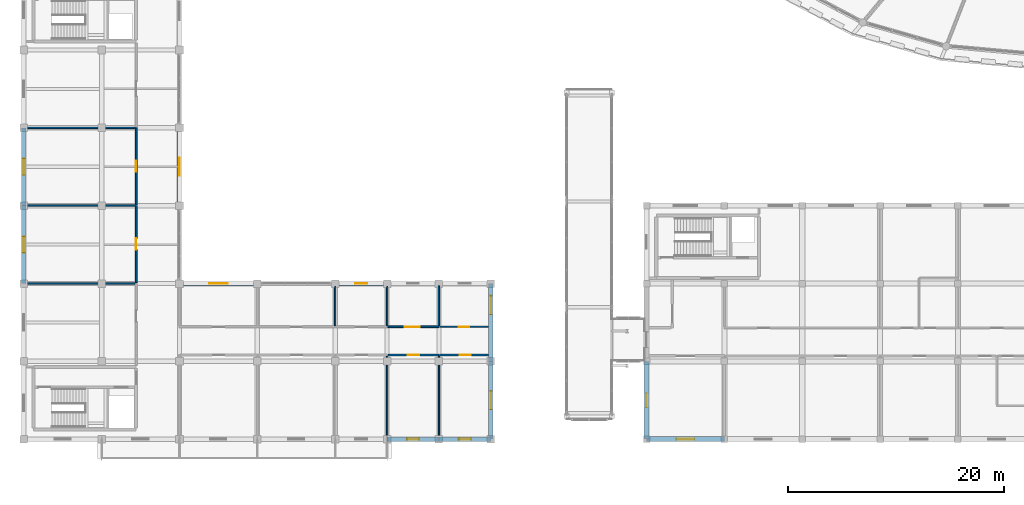
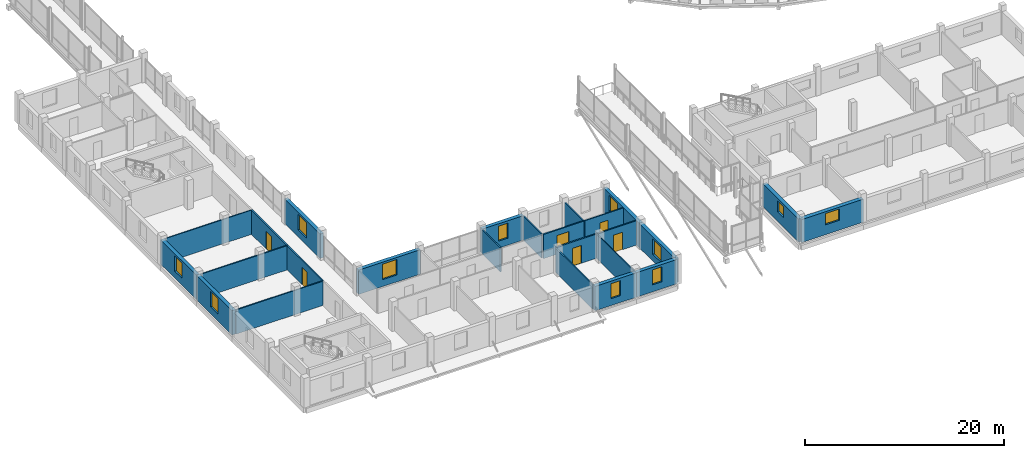
# One storey, part 107 of 128: 25 walls, 11 windows, 6 doors, 17 openings.
"""IFC4 building model written with IfcOpenShell, lengths in metres."""

from ifc_helpers import new_model, si_unit, direction, frame, frame_2d, origin, place, context, subcontext, project, spatial, rectangle, extrude, material, layer, layer_set, type_object, element, fill, save


model = new_model("IFC4")

# Units and contexts
model_context = context("Model", 3, precision=1e-05, world=origin(), true_north=direction((0.0, 1.0)))
body_context = subcontext(model_context, "Body", "Model", "MODEL_VIEW")
ifc_project = project(units=[si_unit("LENGTHUNIT", "METRE"), si_unit("AREAUNIT", "SQUARE_METRE"), si_unit("VOLUMEUNIT", "CUBIC_METRE"), si_unit("PLANEANGLEUNIT", "RADIAN"), si_unit("MASSUNIT", "GRAM", prefix="KILO")], contexts=[model_context])

# Site, building, storey
site_placement = place(None, origin())
site = spatial("IfcSite", under=ifc_project, at=site_placement, CompositionType="ELEMENT")
building_placement = place(site_placement, origin())
building = spatial("IfcBuilding", under=site, at=building_placement, Name="Zornivar Specialist Clinic", CompositionType="ELEMENT")
storey_placement = place(building_placement, frame((0.0, 0.0, 4.5)))
storey = spatial("IfcBuildingStorey", under=building, at=storey_placement, Name="L01", CompositionType="ELEMENT", Elevation=4.5)

# Wall, opening, window
ifc_material_1 = material(Name="Barium-shielded concrete C35/45", Category="concrete")
ifc_layer_1 = layer(ifc_material_1, 0.4599609375)
ifc_layer_set_1 = layer_set([ifc_layer_1], Name="Barium-shielded concrete C35/45")
wall_type_1 = type_object("IfcWallType", Name="EW-IMG-SHIELD-460", PredefinedType="SOLIDWALL", material=ifc_layer_set_1)
wall_1_placement = place(storey_placement, frame((57.60009765625, 0.0, 0.0), z_axis=(0.0, 0.0, 1.0), x_axis=(1.0, 0.0, 0.0)))
wall_1 = element("IfcWall", 1, at=wall_1_placement, inside=storey, type_object=wall_type_1, Name="ew:V3:L01:00", PredefinedType="SOLIDWALL", context=body_context, shape_type="SweptSolid", body=[
    extrude(rectangle(XDim=7.199951171875, YDim=0.4599609375, at=frame_2d((3.60009765625, 0.0))), origin(), (0.0, 0.0, 1.0), 2.830078125),
])
opening_1_placement = place(wall_1_placement, frame((2.800048828125, 0.0, 1.199951171875)))
opening_1 = element("IfcOpeningElement", 2, at=opening_1_placement, cuts=wall_1, Name="Opening W-12", PredefinedType="OPENING", context=body_context, shape_type="SweptSolid", body=[
    extrude(rectangle(XDim=1.60009765625, YDim=1.39990234375, at=frame_2d((0.800048828125, 0.699951171875))), frame((0.0, 0.239990234375, 0.0), z_axis=(0.0, -1.0, 0.0), x_axis=(1.0, 0.0, 0.0)), (0.0, 0.0, 1.0), 0.47998046875),
])
ifc_material_2 = material(Name="Triple-Glazed Aluminium-Timber Window Glass", Category="wood")
window_type_1 = type_object("IfcWindowType", Name="WIN-IMG-SOUTH-1600x1400", PartitioningType="SINGLE_PANEL", PredefinedType="WINDOW", material=ifc_material_2)
window_1_placement = place(opening_1_placement, origin())
window_1 = element("IfcWindow", 3, at=window_1_placement, inside=storey, type_object=window_type_1, Name="win:V3:L01:00", OverallHeight=1.39990234375, OverallWidth=1.60009765625, PartitioningType="SINGLE_PANEL", PredefinedType="WINDOW", context=body_context, shape_type="SweptSolid", body=[
    extrude(rectangle(XDim=1.60009765625, YDim=1.39990234375, at=frame_2d((0.800048828125, 0.699951171875))), frame((0.0, 0.030029296875, 0.0), z_axis=(0.0, -1.0, 0.0), x_axis=(1.0, 0.0, 0.0)), (0.0, 0.0, 1.0), 0.06005859375),
])
fill(opening_1, window_1)

wall_2_placement = place(storey_placement, frame((57.60009765625, 7.199951171875, 0.0), z_axis=(0.0, 0.0, 1.0), x_axis=(0.0, -1.0, 0.0)))
wall_2 = element("IfcWall", 4, at=wall_2_placement, inside=storey, type_object=wall_type_1, Name="ew:V3:L01:15", PredefinedType="SOLIDWALL", context=body_context, shape_type="SweptSolid", body=[
    extrude(rectangle(XDim=7.199951171875, YDim=0.4599609375, at=frame_2d((3.60009765625, 0.0))), origin(), (0.0, 0.0, 1.0), 2.830078125),
])
opening_2_placement = place(wall_2_placement, frame((2.97509765625, 0.0, 1.199951171875)))
opening_2 = element("IfcOpeningElement", 5, at=opening_2_placement, cuts=wall_2, Name="Opening W-14", PredefinedType="OPENING", context=body_context, shape_type="SweptSolid", body=[
    extrude(rectangle(XDim=1.25, YDim=1.35009765625, at=frame_2d((0.625, 0.675048828125))), frame((0.0, 0.239990234375, 0.0), z_axis=(0.0, -1.0, 0.0), x_axis=(1.0, 0.0, 0.0)), (0.0, 0.0, 1.0), 0.47998046875),
])
ifc_material_3 = material(Name="Triple-Glazed Aluminium-Timber Window Glass", Category="wood")
window_type_2 = type_object("IfcWindowType", Name="WIN-IMG-CTRL-1250x1350", PartitioningType="SINGLE_PANEL", PredefinedType="WINDOW", material=ifc_material_3)
window_2_placement = place(opening_2_placement, origin())
window_2 = element("IfcWindow", 6, at=window_2_placement, inside=storey, type_object=window_type_2, Name="win:V3:L01:15", OverallHeight=1.35009765625, OverallWidth=1.25, PartitioningType="SINGLE_PANEL", PredefinedType="WINDOW", context=body_context, shape_type="SweptSolid", body=[
    extrude(rectangle(XDim=1.25, YDim=1.35009765625, at=frame_2d((0.625, 0.675048828125))), frame((0.0, 0.030029296875, 0.0), z_axis=(0.0, -1.0, 0.0), x_axis=(1.0, 0.0, 0.0)), (0.0, 0.0, 1.0), 0.06005859375),
])
fill(opening_2, window_2)

ifc_material_4 = material(Name="Masonry Vratsa Limestone Ashlar Cavity Wall", Category="masonry")
ifc_layer_2 = layer(ifc_material_4, 0.419921875)
ifc_layer_set_2 = layer_set([ifc_layer_2], Name="Masonry Vratsa Limestone Ashlar Cavity Wall")
wall_type_2 = type_object("IfcWallType", Name="EW-LIMESTONE-420", PredefinedType="SOLIDWALL", material=ifc_layer_set_2)
wall_3_placement = place(storey_placement, frame((33.60009765625, 0.0, 0.0), z_axis=(0.0, 0.0, 1.0), x_axis=(1.0, 0.0, 0.0)))
wall_3 = element("IfcWall", 7, at=wall_3_placement, inside=storey, type_object=wall_type_2, Name="ew:V2:L01:05", PredefinedType="SOLIDWALL", context=body_context, shape_type="SweptSolid", body=[
    extrude(rectangle(XDim=4.7998046875, YDim=0.419921875, at=frame_2d((2.39990234375, 0.0))), origin(), (0.0, 0.0, 1.0), 3.0),
])
opening_3_placement = place(wall_3_placement, frame((1.85009765625, 0.0, 0.85009765625)))
opening_3 = element("IfcOpeningElement", 8, at=opening_3_placement, cuts=wall_3, Name="Opening W-07", PredefinedType="OPENING", context=body_context, shape_type="SweptSolid", body=[
    extrude(rectangle(XDim=1.10009765625, YDim=1.85009765625, at=frame_2d((0.550048828125, 0.925048828125))), frame((0.0, 0.219970703125, 0.0), z_axis=(0.0, -1.0, 0.0), x_axis=(1.0, 0.0, 0.0)), (0.0, 0.0, 1.0), 0.43994140625),
])
ifc_material_5 = material(Name="Triple-Glazed Aluminium-Timber Window Glass", Category="wood")
window_type_3 = type_object("IfcWindowType", Name="WIN-OUTP-PIER-1100x1850", PartitioningType="SINGLE_PANEL", PredefinedType="WINDOW", material=ifc_material_5)
window_3_placement = place(opening_3_placement, origin())
window_3 = element("IfcWindow", 9, at=window_3_placement, inside=storey, type_object=window_type_3, Name="win:V2:L01:05", OverallHeight=1.85009765625, OverallWidth=1.10009765625, PartitioningType="SINGLE_PANEL", PredefinedType="WINDOW", context=body_context, shape_type="SweptSolid", body=[
    extrude(rectangle(XDim=1.10009765625, YDim=1.85009765625, at=frame_2d((0.550048828125, 0.925048828125))), frame((0.0, 0.030029296875, 0.0), z_axis=(0.0, -1.0, 0.0), x_axis=(1.0, 0.0, 0.0)), (0.0, 0.0, 1.0), 0.06005859375),
])
fill(opening_3, window_3)

wall_4_placement = place(storey_placement, frame((38.39990234375, 0.0, 0.0), z_axis=(0.0, 0.0, 1.0), x_axis=(1.0, 0.0, 0.0)))
wall_4 = element("IfcWall", 10, at=wall_4_placement, inside=storey, type_object=wall_type_2, Name="ew:V2:L01:06", PredefinedType="SOLIDWALL", context=body_context, shape_type="SweptSolid", body=[
    extrude(rectangle(XDim=4.800048828125, YDim=0.419921875, at=frame_2d((2.39990234375, 0.0))), origin(), (0.0, 0.0, 1.0), 3.0),
])
opening_4_placement = place(wall_4_placement, frame((1.85009765625, 0.0, 0.85009765625)))
opening_4 = element("IfcOpeningElement", 11, at=opening_4_placement, cuts=wall_4, Name="Opening W-07", PredefinedType="OPENING", context=body_context, shape_type="SweptSolid", body=[
    extrude(rectangle(XDim=1.10009765625, YDim=1.85009765625, at=frame_2d((0.550048828125, 0.925048828125))), frame((0.0, 0.219970703125, 0.0), z_axis=(0.0, -1.0, 0.0), x_axis=(1.0, 0.0, 0.0)), (0.0, 0.0, 1.0), 0.43994140625),
])
window_4_placement = place(opening_4_placement, origin())
window_4 = element("IfcWindow", 12, at=window_4_placement, inside=storey, type_object=window_type_3, Name="win:V2:L01:06", OverallHeight=1.85009765625, OverallWidth=1.10009765625, PartitioningType="SINGLE_PANEL", PredefinedType="WINDOW", context=body_context, shape_type="SweptSolid", body=[
    extrude(rectangle(XDim=1.10009765625, YDim=1.85009765625, at=frame_2d((0.550048828125, 0.925048828125))), frame((0.0, 0.030029296875, 0.0), z_axis=(0.0, -1.0, 0.0), x_axis=(1.0, 0.0, 0.0)), (0.0, 0.0, 1.0), 0.06005859375),
])
fill(opening_4, window_4)

wall_5_placement = place(storey_placement, frame((43.199951171875, 0.0, 0.0), z_axis=(0.0, 0.0, 1.0), x_axis=(0.0, 1.0, 0.0)))
wall_5 = element("IfcWall", 13, at=wall_5_placement, inside=storey, type_object=wall_type_2, Name="ew:V2:L01:07", PredefinedType="SOLIDWALL", context=body_context, shape_type="SweptSolid", body=[
    extrude(rectangle(XDim=7.199951171875, YDim=0.419921875, at=frame_2d((3.60009765625, 0.0))), origin(), (0.0, 0.0, 1.0), 3.0),
])
opening_5_placement = place(wall_5_placement, frame((2.75, 0.0, 0.85009765625)))
opening_5 = element("IfcOpeningElement", 14, at=opening_5_placement, cuts=wall_5, Name="Opening W-06", PredefinedType="OPENING", context=body_context, shape_type="SweptSolid", body=[
    extrude(rectangle(XDim=1.699951171875, YDim=1.89990234375, at=frame_2d((0.85009765625, 0.949951171875))), frame((0.0, 0.219970703125, 0.0), z_axis=(0.0, -1.0, 0.0), x_axis=(1.0, 0.0, 0.0)), (0.0, 0.0, 1.0), 0.43994140625),
])
ifc_material_6 = material(Name="Triple-Glazed Aluminium-Timber Window Glass", Category="wood")
window_type_4 = type_object("IfcWindowType", Name="WIN-OUTP-COURT-1700x1900", PartitioningType="SINGLE_PANEL", PredefinedType="WINDOW", material=ifc_material_6)
window_5_placement = place(opening_5_placement, origin())
window_5 = element("IfcWindow", 15, at=window_5_placement, inside=storey, type_object=window_type_4, Name="win:V2:L01:07", OverallHeight=1.89990234375, OverallWidth=1.699951171875, PartitioningType="SINGLE_PANEL", PredefinedType="WINDOW", context=body_context, shape_type="SweptSolid", body=[
    extrude(rectangle(XDim=1.699951171875, YDim=1.89990234375, at=frame_2d((0.85009765625, 0.949951171875))), frame((0.0, 0.030029296875, 0.0), z_axis=(0.0, -1.0, 0.0), x_axis=(1.0, 0.0, 0.0)), (0.0, 0.0, 1.0), 0.06005859375),
])
fill(opening_5, window_5)

wall_6_placement = place(storey_placement, frame((43.199951171875, 7.199951171875, 0.0), z_axis=(0.0, 0.0, 1.0), x_axis=(0.0, 1.0, 0.0)))
wall_6 = element("IfcWall", 16, at=wall_6_placement, inside=storey, type_object=wall_type_2, Name="ew:V2:L01:08", PredefinedType="SOLIDWALL", context=body_context, shape_type="SweptSolid", body=[
    extrude(rectangle(XDim=7.199951171875, YDim=0.419921875, at=frame_2d((3.60009765625, 0.0))), origin(), (0.0, 0.0, 1.0), 3.0),
])
opening_6_placement = place(wall_6_placement, frame((4.35009765625, 0.0, 0.85009765625)))
opening_6 = element("IfcOpeningElement", 17, at=opening_6_placement, cuts=wall_6, Name="Opening W-06", PredefinedType="OPENING", context=body_context, shape_type="SweptSolid", body=[
    extrude(rectangle(XDim=1.699951171875, YDim=1.89990234375, at=frame_2d((0.85009765625, 0.949951171875))), frame((0.0, 0.219970703125, 0.0), z_axis=(0.0, -1.0, 0.0), x_axis=(1.0, 0.0, 0.0)), (0.0, 0.0, 1.0), 0.43994140625),
])
window_6_placement = place(opening_6_placement, origin())
window_6 = element("IfcWindow", 18, at=window_6_placement, inside=storey, type_object=window_type_4, Name="win:V2:L01:08", OverallHeight=1.89990234375, OverallWidth=1.699951171875, PartitioningType="SINGLE_PANEL", PredefinedType="WINDOW", context=body_context, shape_type="SweptSolid", body=[
    extrude(rectangle(XDim=1.699951171875, YDim=1.89990234375, at=frame_2d((0.85009765625, 0.949951171875))), frame((0.0, 0.030029296875, 0.0), z_axis=(0.0, -1.0, 0.0), x_axis=(1.0, 0.0, 0.0)), (0.0, 0.0, 1.0), 0.06005859375),
])
fill(opening_6, window_6)

wall_7_placement = place(storey_placement, frame((33.60009765625, 14.39990234375, 0.0), z_axis=(0.0, 0.0, 1.0), x_axis=(-1.0, 0.0, 0.0)))
wall_7 = element("IfcWall", 19, at=wall_7_placement, inside=storey, type_object=wall_type_2, Name="ew:V2:L01:11", PredefinedType="SOLIDWALL", context=body_context, shape_type="SweptSolid", body=[
    extrude(rectangle(XDim=4.800048828125, YDim=0.419921875, at=frame_2d((2.39990234375, 0.0))), origin(), (0.0, 0.0, 1.0), 3.0),
])
opening_7_placement = place(wall_7_placement, frame((1.85009765625, 0.0, 0.85009765625)))
opening_7 = element("IfcOpeningElement", 20, at=opening_7_placement, cuts=wall_7, Name="Opening W-07", PredefinedType="OPENING", context=body_context, shape_type="SweptSolid", body=[
    extrude(rectangle(XDim=1.10009765625, YDim=1.85009765625, at=frame_2d((0.550048828125, 0.925048828125))), frame((0.0, 0.219970703125, 0.0), z_axis=(0.0, -1.0, 0.0), x_axis=(1.0, 0.0, 0.0)), (0.0, 0.0, 1.0), 0.43994140625),
])
window_7_placement = place(opening_7_placement, origin())
window_7 = element("IfcWindow", 21, at=window_7_placement, inside=storey, type_object=window_type_3, Name="win:V2:L01:11", OverallHeight=1.85009765625, OverallWidth=1.10009765625, PartitioningType="SINGLE_PANEL", PredefinedType="WINDOW", context=body_context, shape_type="SweptSolid", body=[
    extrude(rectangle(XDim=1.10009765625, YDim=1.85009765625, at=frame_2d((0.550048828125, 0.925048828125))), frame((0.0, 0.030029296875, 0.0), z_axis=(0.0, -1.0, 0.0), x_axis=(1.0, 0.0, 0.0)), (0.0, 0.0, 1.0), 0.06005859375),
])
fill(opening_7, window_7)

wall_8_placement = place(storey_placement, frame((21.60009765625, 14.39990234375, 0.0), z_axis=(0.0, 0.0, 1.0), x_axis=(-1.0, 0.0, 0.0)))
wall_8 = element("IfcWall", 22, at=wall_8_placement, inside=storey, type_object=wall_type_2, Name="ew:V2:L01:13", PredefinedType="SOLIDWALL", context=body_context, shape_type="SweptSolid", body=[
    extrude(rectangle(XDim=7.2001953125, YDim=0.419921875, at=frame_2d((3.60009765625, 0.0))), origin(), (0.0, 0.0, 1.0), 3.0),
])
opening_8_placement = place(wall_8_placement, frame((2.75, 0.0, 0.85009765625)))
opening_8 = element("IfcOpeningElement", 23, at=opening_8_placement, cuts=wall_8, Name="Opening W-06", PredefinedType="OPENING", context=body_context, shape_type="SweptSolid", body=[
    extrude(rectangle(XDim=1.699951171875, YDim=1.89990234375, at=frame_2d((0.85009765625, 0.949951171875))), frame((0.0, 0.219970703125, 0.0), z_axis=(0.0, -1.0, 0.0), x_axis=(1.0, 0.0, 0.0)), (0.0, 0.0, 1.0), 0.43994140625),
])
window_8_placement = place(opening_8_placement, origin())
window_8 = element("IfcWindow", 24, at=window_8_placement, inside=storey, type_object=window_type_4, Name="win:V2:L01:13", OverallHeight=1.89990234375, OverallWidth=1.699951171875, PartitioningType="SINGLE_PANEL", PredefinedType="WINDOW", context=body_context, shape_type="SweptSolid", body=[
    extrude(rectangle(XDim=1.699951171875, YDim=1.89990234375, at=frame_2d((0.85009765625, 0.949951171875))), frame((0.0, 0.030029296875, 0.0), z_axis=(0.0, -1.0, 0.0), x_axis=(1.0, 0.0, 0.0)), (0.0, 0.0, 1.0), 0.06005859375),
])
fill(opening_8, window_8)

wall_9_placement = place(storey_placement, frame((14.39990234375, 21.60009765625, 0.0), z_axis=(0.0, 0.0, 1.0), x_axis=(0.0, 1.0, 0.0)))
wall_9 = element("IfcWall", 25, at=wall_9_placement, inside=storey, type_object=wall_type_2, Name="ew:V2:L01:15", PredefinedType="SOLIDWALL", context=body_context, shape_type="SweptSolid", body=[
    extrude(rectangle(XDim=7.199951171875, YDim=0.419921875, at=frame_2d((3.60009765625, 0.0))), origin(), (0.0, 0.0, 1.0), 3.0),
])
opening_9_placement = place(wall_9_placement, frame((2.75, 0.0, 0.85009765625)))
opening_9 = element("IfcOpeningElement", 26, at=opening_9_placement, cuts=wall_9, Name="Opening W-06", PredefinedType="OPENING", context=body_context, shape_type="SweptSolid", body=[
    extrude(rectangle(XDim=1.699951171875, YDim=1.89990234375, at=frame_2d((0.85009765625, 0.949951171875))), frame((0.0, 0.219970703125, 0.0), z_axis=(0.0, -1.0, 0.0), x_axis=(1.0, 0.0, 0.0)), (0.0, 0.0, 1.0), 0.43994140625),
])
window_9_placement = place(opening_9_placement, origin())
window_9 = element("IfcWindow", 27, at=window_9_placement, inside=storey, type_object=window_type_4, Name="win:V2:L01:15", OverallHeight=1.89990234375, OverallWidth=1.699951171875, PartitioningType="SINGLE_PANEL", PredefinedType="WINDOW", context=body_context, shape_type="SweptSolid", body=[
    extrude(rectangle(XDim=1.699951171875, YDim=1.89990234375, at=frame_2d((0.85009765625, 0.949951171875))), frame((0.0, 0.030029296875, 0.0), z_axis=(0.0, -1.0, 0.0), x_axis=(1.0, 0.0, 0.0)), (0.0, 0.0, 1.0), 0.06005859375),
])
fill(opening_9, window_9)

wall_10_placement = place(storey_placement, frame((0.0, 28.800048828125, 0.0), z_axis=(0.0, 0.0, 1.0), x_axis=(0.0, -1.0, 0.0)))
wall_10 = element("IfcWall", 28, at=wall_10_placement, inside=storey, type_object=wall_type_2, Name="ew:V2:L01:28", PredefinedType="SOLIDWALL", context=body_context, shape_type="SweptSolid", body=[
    extrude(rectangle(XDim=7.199951171875, YDim=0.419921875, at=frame_2d((3.60009765625, 0.0))), origin(), (0.0, 0.0, 1.0), 3.0),
])
opening_10_placement = place(wall_10_placement, frame((2.85009765625, 0.0, 0.85009765625)))
opening_10 = element("IfcOpeningElement", 29, at=opening_10_placement, cuts=wall_10, Name="Opening W-05", PredefinedType="OPENING", context=body_context, shape_type="SweptSolid", body=[
    extrude(rectangle(XDim=1.5, YDim=1.89990234375, at=frame_2d((0.75, 0.949951171875))), frame((0.0, 0.219970703125, 0.0), z_axis=(0.0, -1.0, 0.0), x_axis=(1.0, 0.0, 0.0)), (0.0, 0.0, 1.0), 0.43994140625),
])
ifc_material_7 = material(Name="Triple-Glazed Aluminium-Timber Window Glass", Category="wood")
window_type_5 = type_object("IfcWindowType", Name="WIN-OUTP-STREET-1500x1900", PartitioningType="SINGLE_PANEL", PredefinedType="WINDOW", material=ifc_material_7)
window_10_placement = place(opening_10_placement, origin())
window_10 = element("IfcWindow", 30, at=window_10_placement, inside=storey, type_object=window_type_5, Name="win:V2:L01:28", OverallHeight=1.89990234375, OverallWidth=1.5, PartitioningType="SINGLE_PANEL", PredefinedType="WINDOW", context=body_context, shape_type="SweptSolid", body=[
    extrude(rectangle(XDim=1.5, YDim=1.89990234375, at=frame_2d((0.75, 0.949951171875))), frame((0.0, 0.030029296875, 0.0), z_axis=(0.0, -1.0, 0.0), x_axis=(1.0, 0.0, 0.0)), (0.0, 0.0, 1.0), 0.06005859375),
])
fill(opening_10, window_10)

wall_11_placement = place(storey_placement, frame((0.0, 21.60009765625, 0.0), z_axis=(0.0, 0.0, 1.0), x_axis=(0.0, -1.0, 0.0)))
wall_11 = element("IfcWall", 31, at=wall_11_placement, inside=storey, type_object=wall_type_2, Name="ew:V2:L01:29", PredefinedType="SOLIDWALL", context=body_context, shape_type="SweptSolid", body=[
    extrude(rectangle(XDim=7.2001953125, YDim=0.419921875, at=frame_2d((3.60009765625, 0.0))), origin(), (0.0, 0.0, 1.0), 3.0),
])
opening_11_placement = place(wall_11_placement, frame((2.85009765625, 0.0, 0.85009765625)))
opening_11 = element("IfcOpeningElement", 32, at=opening_11_placement, cuts=wall_11, Name="Opening W-05", PredefinedType="OPENING", context=body_context, shape_type="SweptSolid", body=[
    extrude(rectangle(XDim=1.5, YDim=1.89990234375, at=frame_2d((0.75, 0.949951171875))), frame((0.0, 0.219970703125, 0.0), z_axis=(0.0, -1.0, 0.0), x_axis=(1.0, 0.0, 0.0)), (0.0, 0.0, 1.0), 0.43994140625),
])
window_11_placement = place(opening_11_placement, origin())
window_11 = element("IfcWindow", 33, at=window_11_placement, inside=storey, type_object=window_type_5, Name="win:V2:L01:29", OverallHeight=1.89990234375, OverallWidth=1.5, PartitioningType="SINGLE_PANEL", PredefinedType="WINDOW", context=body_context, shape_type="SweptSolid", body=[
    extrude(rectangle(XDim=1.5, YDim=1.89990234375, at=frame_2d((0.75, 0.949951171875))), frame((0.0, 0.030029296875, 0.0), z_axis=(0.0, -1.0, 0.0), x_axis=(1.0, 0.0, 0.0)), (0.0, 0.0, 1.0), 0.06005859375),
])
fill(opening_11, window_11)

# Walls
ifc_material_8 = material(Name="Acoustic Clinical Stud Partition")
ifc_layer_3 = layer(ifc_material_8, 0.139892578125)
ifc_layer_set_3 = layer_set([ifc_layer_3], Name="Acoustic Clinical Stud Partition")
wall_type_3 = type_object("IfcWallType", Name="IW-CLIN-140", PredefinedType="PARTITIONING", material=ifc_layer_set_3)
for number, where, z_axis, x_axis, name in (
    (34, (0.22509765625, 14.39990234375, 0.0), (0.0, 0.0, 1.0), (1.0, 0.0, 0.0), "iw:L01:053"),
    (35, (0.22509765625, 21.60009765625, 0.0), (0.0, 0.0, 1.0), (1.0, 0.0, 0.0), "iw:L01:055"),
):
    element("IfcWall", number, at=place(storey_placement, frame(where, z_axis=z_axis, x_axis=x_axis)), inside=storey, type_object=wall_type_3, Name=name, PredefinedType="PARTITIONING", context=body_context, shape_type="SweptSolid", body=[
        extrude(rectangle(XDim=10.080810546875, YDim=0.139892578125, at=frame_2d((5.04052734375, 0.0))), origin(), (0.0, 0.0, 1.0), 2.97998046875),
    ])
wall_12_placement = place(storey_placement, frame((28.800048828125, 14.175048828125, 0.0), z_axis=(0.0, 0.0, 1.0), x_axis=(0.0, -1.0, 0.0)))
element("IfcWall", 36, at=wall_12_placement, inside=storey, type_object=wall_type_3, Name="iw:L01:080", PredefinedType="PARTITIONING", context=body_context, shape_type="SweptSolid", body=[
    extrude(rectangle(XDim=3.68115234375, YDim=0.139892578125, at=frame_2d((1.840576171875, 0.0))), origin(), (0.0, 0.0, 1.0), 2.97998046875),
])
wall_13_placement = place(storey_placement, frame((33.60009765625, 7.7060546875, 0.0), z_axis=(0.0, 0.0, 1.0), x_axis=(0.0, -1.0, 0.0)))
element("IfcWall", 37, at=wall_13_placement, inside=storey, type_object=wall_type_3, Name="iw:L01:082", PredefinedType="PARTITIONING", context=body_context, shape_type="SweptSolid", body=[
    extrude(rectangle(XDim=7.48095703125, YDim=0.139892578125, at=frame_2d((3.740478515625, 0.0))), origin(), (0.0, 0.0, 1.0), 2.97998046875),
])
wall_14_placement = place(storey_placement, frame((33.60009765625, 14.175048828125, 0.0), z_axis=(0.0, 0.0, 1.0), x_axis=(0.0, -1.0, 0.0)))
element("IfcWall", 38, at=wall_14_placement, inside=storey, type_object=wall_type_3, Name="iw:L01:084", PredefinedType="PARTITIONING", context=body_context, shape_type="SweptSolid", body=[
    extrude(rectangle(XDim=3.68115234375, YDim=0.139892578125, at=frame_2d((1.840576171875, 0.0))), origin(), (0.0, 0.0, 1.0), 2.97998046875),
])

# Wall, opening, door
ifc_material_9 = material(Name="Gypsum Fire-Rated Double Stud Partition")
ifc_layer_4 = layer(ifc_material_9, 0.159912109375)
ifc_layer_set_4 = layer_set([ifc_layer_4], Name="Gypsum Fire-Rated Double Stud Partition")
wall_type_4 = type_object("IfcWallType", Name="IW-CORR-EI60-160", PredefinedType="PARTITIONING", material=ifc_layer_set_4)
wall_15_placement = place(storey_placement, frame((10.39990234375, 21.60009765625, 0.0), z_axis=(0.0, 0.0, 1.0), x_axis=(0.0, -1.0, 0.0)))
wall_15 = element("IfcWall", 39, at=wall_15_placement, inside=storey, type_object=wall_type_4, Name="iw:L01:054", PredefinedType="PARTITIONING", context=body_context, shape_type="SweptSolid", body=[
    extrude(rectangle(XDim=7.1162109375, YDim=0.159912109375, at=frame_2d((3.55810546875, 0.0))), origin(), (0.0, 0.0, 1.0), 2.97998046875),
])
opening_12_placement = place(wall_15_placement, frame((3.032958984375, 0.0, 0.0)))
opening_12 = element("IfcOpeningElement", 40, at=opening_12_placement, cuts=wall_15, Name="Opening ID-03", PredefinedType="OPENING", context=body_context, shape_type="SweptSolid", body=[
    extrude(rectangle(XDim=1.050048828125, YDim=2.14990234375, at=frame_2d((0.52490234375, 1.074951171875))), frame((0.0, 0.08984375, 0.0), z_axis=(0.0, -1.0, 0.0), x_axis=(1.0, 0.0, 0.0)), (0.0, 0.0, 1.0), 0.179931640625),
])
ifc_material_10 = material(Name="Solid-Core Hygienic Laminate Timber Door", Category="wood")
door_type_1 = type_object("IfcDoorType", Name="ID-CONS-1050x2150", OperationType="NOTDEFINED", PredefinedType="DOOR", material=ifc_material_10)
door_1_placement = place(opening_12_placement, origin())
door_1 = element("IfcDoor", 41, at=door_1_placement, inside=storey, type_object=door_type_1, Name="door:space:V2:L01:rm:01", OperationType="SINGLE_SWING_RIGHT", OverallHeight=2.14990234375, OverallWidth=1.050048828125, PredefinedType="DOOR", context=body_context, shape_type="SweptSolid", body=[
    extrude(rectangle(XDim=1.050048828125, YDim=2.14990234375, at=frame_2d((0.52490234375, 1.074951171875))), frame((0.0, 0.02490234375, 0.0), z_axis=(0.0, -1.0, 0.0), x_axis=(1.0, 0.0, 0.0)), (0.0, 0.0, 1.0), 0.050048828125),
])
fill(opening_12, door_1)

wall_16_placement = place(storey_placement, frame((10.39990234375, 28.800048828125, 0.0), z_axis=(0.0, 0.0, 1.0), x_axis=(0.0, -1.0, 0.0)))
wall_16 = element("IfcWall", 42, at=wall_16_placement, inside=storey, type_object=wall_type_4, Name="iw:L01:056", PredefinedType="PARTITIONING", context=body_context, shape_type="SweptSolid", body=[
    extrude(rectangle(XDim=7.115966796875, YDim=0.159912109375, at=frame_2d((3.55810546875, 0.0))), origin(), (0.0, 0.0, 1.0), 2.97998046875),
])
opening_13_placement = place(wall_16_placement, frame((3.032958984375, 0.0, 0.0)))
opening_13 = element("IfcOpeningElement", 43, at=opening_13_placement, cuts=wall_16, Name="Opening ID-15", PredefinedType="OPENING", context=body_context, shape_type="SweptSolid", body=[
    extrude(rectangle(XDim=1.050048828125, YDim=2.199951171875, at=frame_2d((0.52490234375, 1.10009765625))), frame((0.0, 0.08984375, 0.0), z_axis=(0.0, -1.0, 0.0), x_axis=(1.0, 0.0, 0.0)), (0.0, 0.0, 1.0), 0.179931640625),
])
ifc_material_11 = material(Name="Solid-Core Hygienic Laminate Timber Door", Category="wood")
door_type_2 = type_object("IfcDoorType", Name="ID-COUNS-1050x2200", OperationType="NOTDEFINED", PredefinedType="DOOR", material=ifc_material_11)
door_2_placement = place(opening_13_placement, origin())
door_2 = element("IfcDoor", 44, at=door_2_placement, inside=storey, type_object=door_type_2, Name="door:space:V2:L01:rm:02", OperationType="SINGLE_SWING_LEFT", OverallHeight=2.199951171875, OverallWidth=1.050048828125, PredefinedType="DOOR", context=body_context, shape_type="SweptSolid", body=[
    extrude(rectangle(XDim=1.050048828125, YDim=2.199951171875, at=frame_2d((0.52490234375, 1.10009765625))), frame((0.0, 0.02490234375, 0.0), z_axis=(0.0, -1.0, 0.0), x_axis=(1.0, 0.0, 0.0)), (0.0, 0.0, 1.0), 0.050048828125),
])
fill(opening_13, door_2)

wall_17_placement = place(storey_placement, frame((33.68408203125, 7.800048828125, 0.0), z_axis=(0.0, 0.0, 1.0), x_axis=(1.0, 0.0, 0.0)))
wall_17 = element("IfcWall", 45, at=wall_17_placement, inside=storey, type_object=wall_type_4, Name="iw:L01:085", PredefinedType="PARTITIONING", context=body_context, shape_type="SweptSolid", body=[
    extrude(rectangle(XDim=4.7158203125, YDim=0.159912109375, at=frame_2d((2.35791015625, 0.0))), origin(), (0.0, 0.0, 1.0), 2.97998046875),
])
opening_14_placement = place(wall_17_placement, frame((1.8330078125, 0.0, 0.0)))
opening_14 = element("IfcOpeningElement", 46, at=opening_14_placement, cuts=wall_17, Name="Opening ID-15", PredefinedType="OPENING", context=body_context, shape_type="SweptSolid", body=[
    extrude(rectangle(XDim=1.050048828125, YDim=2.199951171875, at=frame_2d((0.52490234375, 1.10009765625))), frame((0.0, 0.08984375, 0.0), z_axis=(0.0, -1.0, 0.0), x_axis=(1.0, 0.0, 0.0)), (0.0, 0.0, 1.0), 0.179931640625),
])
door_3_placement = place(opening_14_placement, origin())
door_3 = element("IfcDoor", 47, at=door_3_placement, inside=storey, type_object=door_type_2, Name="door:space:V2:L01:rm:15", OperationType="SINGLE_SWING_RIGHT", OverallHeight=2.199951171875, OverallWidth=1.050048828125, PredefinedType="DOOR", context=body_context, shape_type="SweptSolid", body=[
    extrude(rectangle(XDim=1.050048828125, YDim=2.199951171875, at=frame_2d((0.52490234375, 1.10009765625))), frame((0.0, 0.02490234375, 0.0), z_axis=(0.0, -1.0, 0.0), x_axis=(1.0, 0.0, 0.0)), (0.0, 0.0, 1.0), 0.050048828125),
])
fill(opening_14, door_3)

wall_18_placement = place(storey_placement, frame((38.39990234375, 10.39990234375, 0.0), z_axis=(0.0, 0.0, 1.0), x_axis=(-1.0, 0.0, 0.0)))
wall_18 = element("IfcWall", 48, at=wall_18_placement, inside=storey, type_object=wall_type_4, Name="iw:L01:087", PredefinedType="PARTITIONING", context=body_context, shape_type="SweptSolid", body=[
    extrude(rectangle(XDim=4.7158203125, YDim=0.159912109375, at=frame_2d((2.35791015625, 0.0))), origin(), (0.0, 0.0, 1.0), 2.97998046875),
])
opening_15_placement = place(wall_18_placement, frame((1.764892578125, 0.0, 0.0)))
opening_15 = element("IfcOpeningElement", 49, at=opening_15_placement, cuts=wall_18, Name="Opening ID-12", PredefinedType="OPENING", context=body_context, shape_type="SweptSolid", body=[
    extrude(rectangle(XDim=1.39990234375, YDim=2.300048828125, at=frame_2d((0.699951171875, 1.14990234375))), frame((0.0, 0.08984375, 0.0), z_axis=(0.0, -1.0, 0.0), x_axis=(1.0, 0.0, 0.0)), (0.0, 0.0, 1.0), 0.179931640625),
])
ifc_material_12 = material(Name="Solid-Core Hygienic Laminate Timber Door", Category="wood")
door_type_3 = type_object("IfcDoorType", Name="ID-WAIT-1400x2300", OperationType="NOTDEFINED", PredefinedType="DOOR", material=ifc_material_12)
door_4_placement = place(opening_15_placement, origin())
door_4 = element("IfcDoor", 50, at=door_4_placement, inside=storey, type_object=door_type_3, Name="door:space:V2:L01:rm:16", OperationType="DOUBLE_DOOR_SINGLE_SWING", OverallHeight=2.300048828125, OverallWidth=1.39990234375, PredefinedType="DOOR", context=body_context, shape_type="SweptSolid", body=[
    extrude(rectangle(XDim=1.39990234375, YDim=2.300048828125, at=frame_2d((0.699951171875, 1.14990234375))), frame((0.0, 0.02490234375, 0.0), z_axis=(0.0, -1.0, 0.0), x_axis=(1.0, 0.0, 0.0)), (0.0, 0.0, 1.0), 0.050048828125),
])
fill(opening_15, door_4)

wall_19_placement = place(storey_placement, frame((38.47412109375, 7.800048828125, 0.0), z_axis=(0.0, 0.0, 1.0), x_axis=(1.0, 0.0, 0.0)))
wall_19 = element("IfcWall", 51, at=wall_19_placement, inside=storey, type_object=wall_type_4, Name="iw:L01:089", PredefinedType="PARTITIONING", context=body_context, shape_type="SweptSolid", body=[
    extrude(rectangle(XDim=4.5009765625, YDim=0.159912109375, at=frame_2d((2.25048828125, 0.0))), origin(), (0.0, 0.0, 1.0), 2.97998046875),
])
opening_16_placement = place(wall_19_placement, frame((1.839111328125, 0.0, 0.0)))
opening_16 = element("IfcOpeningElement", 52, at=opening_16_placement, cuts=wall_19, Name="Opening ID-03", PredefinedType="OPENING", context=body_context, shape_type="SweptSolid", body=[
    extrude(rectangle(XDim=1.050048828125, YDim=2.14990234375, at=frame_2d((0.52490234375, 1.074951171875))), frame((0.0, 0.08984375, 0.0), z_axis=(0.0, -1.0, 0.0), x_axis=(1.0, 0.0, 0.0)), (0.0, 0.0, 1.0), 0.179931640625),
])
door_5_placement = place(opening_16_placement, origin())
door_5 = element("IfcDoor", 53, at=door_5_placement, inside=storey, type_object=door_type_1, Name="door:space:V2:L01:rm:17", OperationType="SINGLE_SWING_RIGHT", OverallHeight=2.14990234375, OverallWidth=1.050048828125, PredefinedType="DOOR", context=body_context, shape_type="SweptSolid", body=[
    extrude(rectangle(XDim=1.050048828125, YDim=2.14990234375, at=frame_2d((0.52490234375, 1.074951171875))), frame((0.0, 0.02490234375, 0.0), z_axis=(0.0, -1.0, 0.0), x_axis=(1.0, 0.0, 0.0)), (0.0, 0.0, 1.0), 0.050048828125),
])
fill(opening_16, door_5)

# Walls
ifc_material_13 = material(Name="Acoustic Glazed Consultation Partition")
ifc_layer_5 = layer(ifc_material_13, 0.1201171875)
ifc_layer_set_5 = layer_set([ifc_layer_5], Name="Acoustic Glazed Consultation Partition")
wall_type_5 = type_object("IfcWallType", Name="IW-GLAZ-120", PredefinedType="PARTITIONING", material=ifc_layer_set_5)
wall_20_placement = place(storey_placement, frame((0.22509765625, 28.800048828125, 0.0), z_axis=(0.0, 0.0, 1.0), x_axis=(1.0, 0.0, 0.0)))
element("IfcWall", 54, at=wall_20_placement, inside=storey, type_object=wall_type_5, Name="iw:L01:057", PredefinedType="PARTITIONING", context=body_context, shape_type="SweptSolid", body=[
    extrude(rectangle(XDim=10.080810546875, YDim=0.1201171875, at=frame_2d((5.04052734375, 0.0))), origin(), (0.0, 0.0, 1.0), 2.97998046875),
])
wall_21_placement = place(storey_placement, frame((38.39990234375, 7.7060546875, 0.0), z_axis=(0.0, 0.0, 1.0), x_axis=(0.0, -1.0, 0.0)))
element("IfcWall", 55, at=wall_21_placement, inside=storey, type_object=wall_type_5, Name="iw:L01:086", PredefinedType="PARTITIONING", context=body_context, shape_type="SweptSolid", body=[
    extrude(rectangle(XDim=7.48095703125, YDim=0.1201171875, at=frame_2d((3.740478515625, 0.0))), origin(), (0.0, 0.0, 1.0), 2.97998046875),
])
ifc_material_14 = material(Name="Moisture-Resistant Sanitary Partition")
ifc_layer_6 = layer(ifc_material_14, 0.1298828125)
ifc_layer_set_6 = layer_set([ifc_layer_6], Name="Moisture-Resistant Sanitary Partition")
wall_type_6 = type_object("IfcWallType", Name="IW-WET-130", PredefinedType="PARTITIONING", material=ifc_layer_set_6)
wall_22_placement = place(storey_placement, frame((38.39990234375, 14.175048828125, 0.0), z_axis=(0.0, 0.0, 1.0), x_axis=(0.0, -1.0, 0.0)))
element("IfcWall", 56, at=wall_22_placement, inside=storey, type_object=wall_type_6, Name="iw:L01:088", PredefinedType="PARTITIONING", context=body_context, shape_type="SweptSolid", body=[
    extrude(rectangle(XDim=3.68115234375, YDim=0.1298828125, at=frame_2d((1.840576171875, 0.0))), origin(), (0.0, 0.0, 1.0), 2.97998046875),
])

# Wall, opening, door
wall_23_placement = place(storey_placement, frame((42.97509765625, 10.39990234375, 0.0), z_axis=(0.0, 0.0, 1.0), x_axis=(-1.0, 0.0, 0.0)))
wall_23 = element("IfcWall", 57, at=wall_23_placement, inside=storey, type_object=wall_type_6, Name="iw:L01:090", PredefinedType="PARTITIONING", context=body_context, shape_type="SweptSolid", body=[
    extrude(rectangle(XDim=4.49609375, YDim=0.1298828125, at=frame_2d((2.248046875, 0.0))), origin(), (0.0, 0.0, 1.0), 2.97998046875),
])
opening_17_placement = place(wall_23_placement, frame((1.77294921875, 0.0, 0.0)))
opening_17 = element("IfcOpeningElement", 58, at=opening_17_placement, cuts=wall_23, Name="Opening ID-07", PredefinedType="OPENING", context=body_context, shape_type="SweptSolid", body=[
    extrude(rectangle(XDim=0.949951171875, YDim=2.10009765625, at=frame_2d((0.47509765625, 1.050048828125))), frame((0.0, 0.074951171875, 0.0), z_axis=(0.0, -1.0, 0.0), x_axis=(1.0, 0.0, 0.0)), (0.0, 0.0, 1.0), 0.14990234375),
])
ifc_material_15 = material(Name="Solid-Core Hygienic Laminate Timber Door", Category="wood")
door_type_4 = type_object("IfcDoorType", Name="ID-WC-ACC-0950x2100", OperationType="NOTDEFINED", PredefinedType="DOOR", material=ifc_material_15)
door_6_placement = place(opening_17_placement, origin())
door_6 = element("IfcDoor", 59, at=door_6_placement, inside=storey, type_object=door_type_4, Name="door:space:V2:L01:rm:18", OperationType="SINGLE_SWING_LEFT", OverallHeight=2.10009765625, OverallWidth=0.949951171875, PredefinedType="DOOR", context=body_context, shape_type="SweptSolid", body=[
    extrude(rectangle(XDim=0.949951171875, YDim=2.10009765625, at=frame_2d((0.47509765625, 1.050048828125))), frame((0.0, 0.02490234375, 0.0), z_axis=(0.0, -1.0, 0.0), x_axis=(1.0, 0.0, 0.0)), (0.0, 0.0, 1.0), 0.050048828125),
])
fill(opening_17, door_6)

save(model, "model.ifc")
